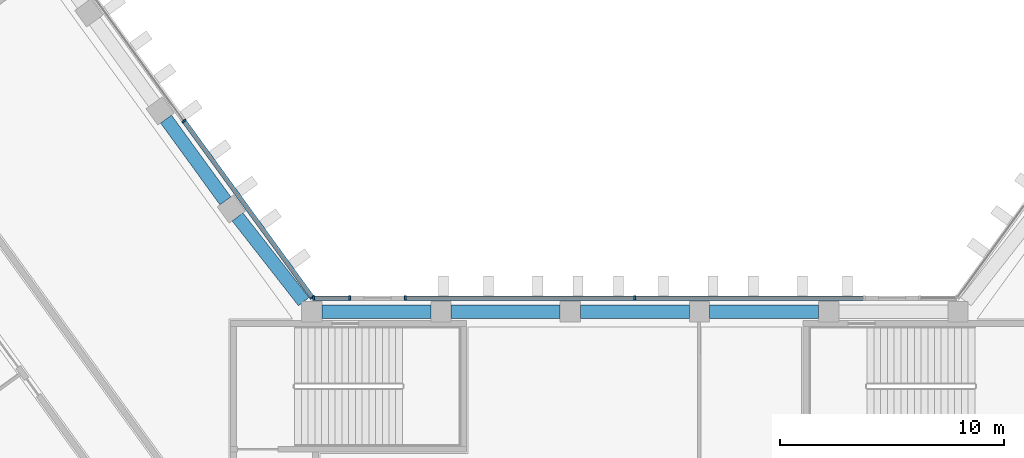
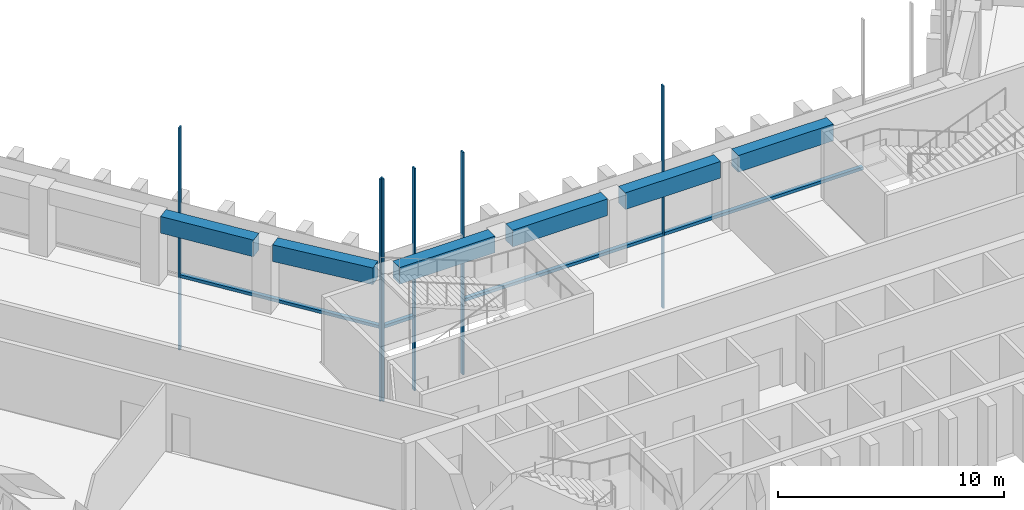
# One storey, part 3 of 16: 10 members, 6 beams, 3 elements without a shape of their own.
"""IFC4 building model written with IfcOpenShell, lengths in metres."""

from ifc_helpers import new_model, si_unit, direction, frame, origin, origin_2d, place, context, subcontext, project, spatial, rectangle, extrude, material, material_profile, profile_set, type_object, element, aggregate, save


model = new_model("IFC4")

# Units and contexts
model_context = context("Model", 3, precision=1e-05, world=origin(), true_north=direction((0.0, 1.0)))
body_context = subcontext(model_context, "Body", "Model", "MODEL_VIEW")
ifc_project = project(units=[si_unit("LENGTHUNIT", "METRE"), si_unit("AREAUNIT", "SQUARE_METRE"), si_unit("VOLUMEUNIT", "CUBIC_METRE"), si_unit("PLANEANGLEUNIT", "RADIAN"), si_unit("MASSUNIT", "GRAM", prefix="KILO")], contexts=[model_context])

# Site, building, storey
site_placement = place(None, origin())
site = spatial("IfcSite", under=ifc_project, at=site_placement, CompositionType="ELEMENT")
building_placement = place(site_placement, origin())
building = spatial("IfcBuilding", under=site, at=building_placement, Name="Quipu Civic Tower", CompositionType="ELEMENT")
storey_placement = place(building_placement, frame((0.0, 0.0, 113.0)))
storey = spatial("IfcBuildingStorey", under=building, at=storey_placement, Name="L26", CompositionType="ELEMENT", Elevation=113.0)

# Curtain wall, members
ifc_material_1 = material(Name="Insulated glass unit", Category="glass")
curtain_wall_type = type_object("IfcCurtainWallType", Name="Office curtain wall CW1", PredefinedType="NOTDEFINED", material=ifc_material_1)
curtain_wall_1_placement = place(storey_placement, origin())
curtain_wall_1 = element("IfcCurtainWall", 1, at=curtain_wall_1_placement, inside=storey, type_object=curtain_wall_type, Name="Office curtain wall CW1 L25 run 1", PredefinedType="NOTDEFINED")
ifc_material_2 = material(Name="Anodised aluminium", Category="aluminium")
ifc_material_profile_1 = material_profile(ifc_material_2, rectangle(XDim=0.199951171875, YDim=0.080078125, at=origin_2d()), Name="RECT 200x80")
ifc_profile_set_1 = profile_set([ifc_material_profile_1], Name="Anodised aluminium")
member_type_1 = type_object("IfcMemberType", Name="Mullion CW1", PredefinedType="MULLION", material=ifc_profile_set_1)
member_1_placement = place(storey_placement, frame((-14.36767578125, 11.13232421875, -3.919921875), z_axis=(0.0, 0.0, 1.0), x_axis=(-0.809016532822, -0.587785887566, 0.0)))
member_1 = element("IfcMember", 2, at=member_1_placement, type_object=member_type_1, Name="CW1 mullion 1", PredefinedType="MULLION", context=body_context, shape_type="SweptSolid", body=[
    extrude(rectangle(XDim=0.199951171875, YDim=0.080078125, at=origin_2d()), origin(), (0.0, 0.0, 1.0), 12.0),
])
member_2_placement = place(storey_placement, frame((-20.08154296875, 18.996826171875, -3.919921875), z_axis=(0.0, 0.0, 1.0), x_axis=(-0.809016532822, -0.587785887566, 0.0)))
member_2 = element("IfcMember", 3, at=member_2_placement, type_object=member_type_1, Name="CW1 mullion 2", PredefinedType="MULLION", context=body_context, shape_type="SweptSolid", body=[
    extrude(rectangle(XDim=0.199951171875, YDim=0.080078125, at=origin_2d()), origin(), (0.0, 0.0, 1.0), 12.0),
])

curtain_wall_2_placement = place(storey_placement, origin())
curtain_wall_2 = element("IfcCurtainWall", 4, at=curtain_wall_2_placement, inside=storey, type_object=curtain_wall_type, Name="Office curtain wall CW1 L25 run 33", PredefinedType="NOTDEFINED")
member_3_placement = place(storey_placement, frame((0.0, 11.10009765625, -3.919921875), z_axis=(0.0, 0.0, 1.0), x_axis=(0.0, -1.0, 0.0)))
member_3 = element("IfcMember", 5, at=member_3_placement, type_object=member_type_1, Name="CW1 mullion 2", PredefinedType="MULLION", context=body_context, shape_type="SweptSolid", body=[
    extrude(rectangle(XDim=0.199951171875, YDim=0.080078125, at=origin_2d()), origin(), (0.0, 0.0, 1.0), 12.0),
])
member_4_placement = place(storey_placement, frame((-10.223388671875, 11.10009765625, -3.919921875), z_axis=(0.0, 0.0, 1.0), x_axis=(0.0, -1.0, 0.0)))
member_4 = element("IfcMember", 6, at=member_4_placement, type_object=member_type_1, Name="CW1 mullion 3", PredefinedType="MULLION", context=body_context, shape_type="SweptSolid", body=[
    extrude(rectangle(XDim=0.199951171875, YDim=0.080078125, at=origin_2d()), origin(), (0.0, 0.0, 1.0), 12.0),
])

curtain_wall_3_placement = place(storey_placement, origin())
curtain_wall_3 = element("IfcCurtainWall", 7, at=curtain_wall_3_placement, inside=storey, type_object=curtain_wall_type, Name="Office curtain wall CW1 L25 run 35", PredefinedType="NOTDEFINED")
member_5_placement = place(storey_placement, frame((-12.695068359375, 11.10009765625, -3.919921875), z_axis=(0.0, 0.0, 1.0), x_axis=(0.0, -1.0, 0.0)))
member_5 = element("IfcMember", 8, at=member_5_placement, type_object=member_type_1, Name="CW1 mullion 1", PredefinedType="MULLION", context=body_context, shape_type="SweptSolid", body=[
    extrude(rectangle(XDim=0.199951171875, YDim=0.080078125, at=origin_2d()), origin(), (0.0, 0.0, 1.0), 12.0),
])
member_6_placement = place(storey_placement, frame((-14.30419921875, 11.10009765625, -3.919921875), z_axis=(0.0, 0.0, 1.0), x_axis=(0.0, -1.0, 0.0)))
member_6 = element("IfcMember", 9, at=member_6_placement, type_object=member_type_1, Name="CW1 mullion 2", PredefinedType="MULLION", context=body_context, shape_type="SweptSolid", body=[
    extrude(rectangle(XDim=0.199951171875, YDim=0.080078125, at=origin_2d()), origin(), (0.0, 0.0, 1.0), 12.0),
])

# Beams
ifc_material_3 = material(Name="Concrete C50/60", Category="concrete")
ifc_material_profile_2 = material_profile(ifc_material_3, rectangle(XDim=0.60009765625, YDim=0.89990234375, at=origin_2d()), Name="RC600x900")
ifc_profile_set_2 = profile_set([ifc_material_profile_2], Name="Concrete C50/60")
beam_type = type_object("IfcBeamType", Name="Spandrel beam RC 600x900 C50/60", PredefinedType="SPANDREL", material=ifc_profile_set_2)
beam_1_placement = place(storey_placement, frame((-18.238037109375, 15.43896484375, 3.199951171875), z_axis=(-0.587716763865, 0.809066749701, 0.0), x_axis=(-0.809066749701, -0.587716763865, 0.0)))
element("IfcBeam", 10, at=beam_1_placement, inside=storey, type_object=beam_type, Name="Spandrel beam L26 W-IN-01 to W-IN-02", PredefinedType="SPANDREL", context=body_context, shape_type="SweptSolid", body=[
    extrude(rectangle(XDim=0.60009765625, YDim=0.89990234375, at=origin_2d()), origin(), (0.0, 0.0, 1.0), 4.5),
])
for number, where, z_axis, x_axis, name in (
    (11, (8.18701171875, 10.5, 3.199951171875), (-1.0, 0.0, 0.0), (0.0, -1.0, 0.0), "Spandrel beam L26 FRONT-01 to FRONT-02"),
    (12, (2.428955078125, 10.5, 3.199951171875), (-1.0, 0.0, 0.0), (0.0, -1.0, 0.0), "Spandrel beam L26 FRONT-02 to FRONT-03"),
    (13, (-3.3291015625, 10.5, 3.199951171875), (-1.0, 0.0, 0.0), (0.0, -1.0, 0.0), "Spandrel beam L26 FRONT-03 to FRONT-04"),
):
    element("IfcBeam", number, at=place(storey_placement, frame(where, z_axis=z_axis, x_axis=x_axis)), inside=storey, type_object=beam_type, Name=name, PredefinedType="SPANDREL", context=body_context, shape_type="SweptSolid", body=[
        extrude(rectangle(XDim=0.60009765625, YDim=0.89990234375, at=origin_2d()), origin(), (0.0, 0.0, 1.0), 4.85791015625),
    ])
beam_2_placement = place(storey_placement, frame((-9.087158203125, 10.5, 3.199951171875), z_axis=(-1.0, 0.0, 0.0), x_axis=(0.0, -1.0, 0.0)))
element("IfcBeam", 14, at=beam_2_placement, inside=storey, type_object=beam_type, Name="Spandrel beam L26 FRONT-04 to J-Wi.0", PredefinedType="SPANDREL", context=body_context, shape_type="SweptSolid", body=[
    extrude(rectangle(XDim=0.60009765625, YDim=0.89990234375, at=origin_2d()), origin(), (0.0, 0.0, 1.0), 4.858154296875),
])
beam_3_placement = place(storey_placement, frame((-14.7470703125, 10.949951171875, 3.199951171875), z_axis=(-0.616123961998, 0.787649200756, 0.0), x_axis=(-0.787649200756, -0.616123961998, 0.0)))
element("IfcBeam", 15, at=beam_3_placement, inside=storey, type_object=beam_type, Name="Spandrel beam L26 J-Wi.0 to W-IN-01", PredefinedType="SPANDREL", context=body_context, shape_type="SweptSolid", body=[
    extrude(rectangle(XDim=0.60009765625, YDim=0.89990234375, at=origin_2d()), origin(), (0.0, 0.0, 1.0), 4.78662109375),
])

# Member
ifc_material_4 = material(Name="Anodised aluminium", Category="aluminium")
ifc_material_profile_3 = material_profile(ifc_material_4, rectangle(XDim=0.199951171875, YDim=0.159912109375, at=origin_2d()), Name="RECT 200x160")
ifc_profile_set_3 = profile_set([ifc_material_profile_3], Name="Anodised aluminium")
member_type_2 = type_object("IfcMemberType", Name="Transom CW1", PredefinedType="USERDEFINED", material=ifc_profile_set_3)
member_7_placement = place(storey_placement, frame((-14.39111328125, 11.164794921875, 0.080078125), z_axis=(-0.58779220199, 0.809011945079, 0.0), x_axis=(-0.809011945079, -0.58779220199, 0.0)))
member_7 = element("IfcMember", 16, at=member_7_placement, type_object=member_type_2, Name="CW1 transom 1.2", ObjectType="TRANSOM", PredefinedType="USERDEFINED", context=body_context, shape_type="SweptSolid", body=[
    extrude(rectangle(XDim=0.199951171875, YDim=0.159912109375, at=origin_2d()), origin(), (0.0, 0.0, 1.0), 9.64111328125),
])

aggregate(curtain_wall_1, [member_1, member_2, member_7])

member_8_placement = place(storey_placement, frame((10.18359375, 11.10009765625, 0.080078125), z_axis=(-1.0, 0.0, 0.0), x_axis=(0.0, -1.0, 0.0)))
member_8 = element("IfcMember", 17, at=member_8_placement, type_object=member_type_2, Name="CW1 transom 1.2", ObjectType="TRANSOM", PredefinedType="USERDEFINED", context=body_context, shape_type="SweptSolid", body=[
    extrude(rectangle(XDim=0.199951171875, YDim=0.159912109375, at=origin_2d()), origin(), (0.0, 0.0, 1.0), 10.1435546875),
])

member_9_placement = place(storey_placement, frame((-0.0400390625, 11.10009765625, 0.080078125), z_axis=(-1.0, 0.0, 0.0), x_axis=(0.0, -1.0, 0.0)))
member_9 = element("IfcMember", 18, at=member_9_placement, type_object=member_type_2, Name="CW1 transom 2.2", ObjectType="TRANSOM", PredefinedType="USERDEFINED", context=body_context, shape_type="SweptSolid", body=[
    extrude(rectangle(XDim=0.199951171875, YDim=0.159912109375, at=origin_2d()), origin(), (0.0, 0.0, 1.0), 10.1435546875),
])

aggregate(curtain_wall_2, [member_3, member_4, member_8, member_9])

member_10_placement = place(storey_placement, frame((-12.735107421875, 11.10009765625, 0.080078125), z_axis=(-1.0, 0.0, 0.0), x_axis=(0.0, -1.0, 0.0)))
member_10 = element("IfcMember", 19, at=member_10_placement, type_object=member_type_2, Name="CW1 transom 1.2", ObjectType="TRANSOM", PredefinedType="USERDEFINED", context=body_context, shape_type="SweptSolid", body=[
    extrude(rectangle(XDim=0.199951171875, YDim=0.159912109375, at=origin_2d()), origin(), (0.0, 0.0, 1.0), 1.529052734375),
])

aggregate(curtain_wall_3, [member_5, member_6, member_10])

save(model, "model.ifc")
